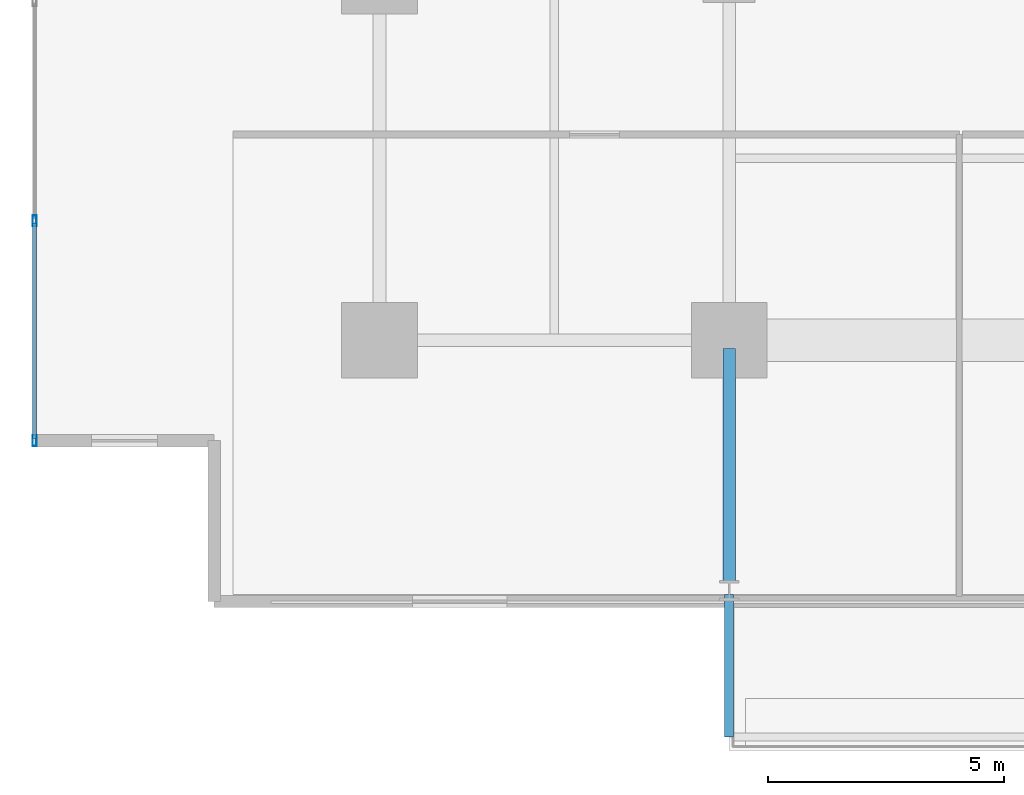
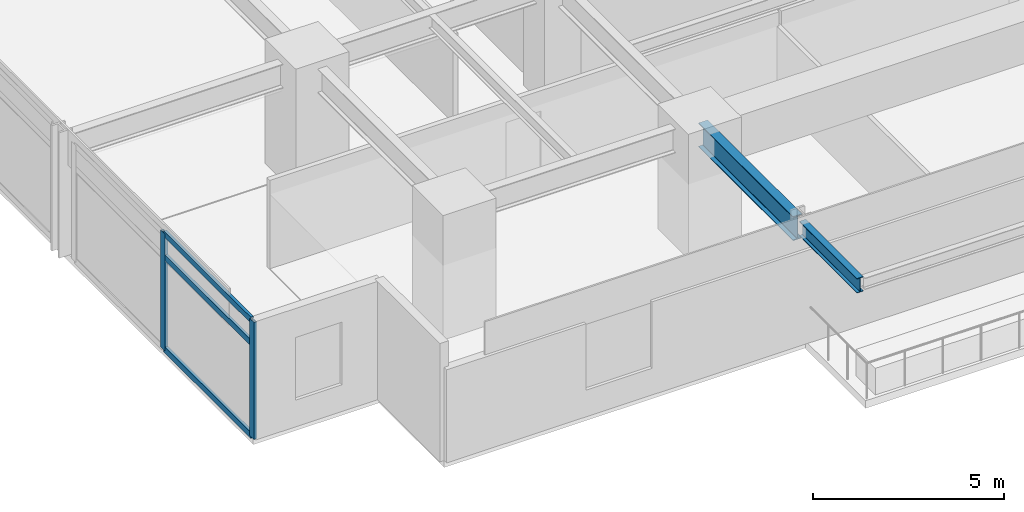
# One storey, part 2 of 21: 5 members, 2 beams, 1 element without a shape of its own.
"""IFC4 building model written with IfcOpenShell, lengths in metres."""

from ifc_helpers import new_model, si_unit, direction, frame, origin, origin_2d, place, context, subcontext, project, spatial, hollow_rectangle, i_section, extrude, material, material_profile, profile_set, type_object, element, aggregate, save


model = new_model("IFC4")

# Units and contexts
model_context = context("Model", 3, precision=1e-05, world=origin(), true_north=direction((0.0, 1.0)))
body_context = subcontext(model_context, "Body", "Model", "MODEL_VIEW")
ifc_project = project(units=[si_unit("LENGTHUNIT", "METRE"), si_unit("AREAUNIT", "SQUARE_METRE"), si_unit("VOLUMEUNIT", "CUBIC_METRE"), si_unit("PLANEANGLEUNIT", "RADIAN"), si_unit("MASSUNIT", "GRAM", prefix="KILO")], contexts=[model_context])

# Site, building, storey
site_placement = place(None, origin())
site = spatial("IfcSite", under=ifc_project, at=site_placement, CompositionType="ELEMENT")
building_placement = place(site_placement, origin())
building = spatial("IfcBuilding", under=site, at=building_placement, Name="Kovane Verandah Tower", CompositionType="ELEMENT")
storey_placement = place(building_placement, frame((0.0, 0.0, 152.39990234375)))
storey = spatial("IfcBuildingStorey", under=building, at=storey_placement, Name="L35", CompositionType="ELEMENT", Elevation=152.39990234375)

# Beam
ifc_material_1 = material(Name="Steel S355", Category="steel")
ifc_material_profile_1 = material_profile(ifc_material_1, i_section(OverallWidth=0.26806640625, OverallDepth=0.769775390625, WebThickness=0.015625, FlangeThickness=0.025390625, FilletRadius=0.0166015625, at=origin_2d()), Name="UB762x267x197")
ifc_profile_set_1 = profile_set([ifc_material_profile_1], Name="Steel S355")
beam_type_1 = type_object("IfcBeamType", Name="BM-UB762x197", PredefinedType="BEAM", material=ifc_profile_set_1)
beam_1_placement = place(storey_placement, frame((29.0, 10.6201171875, 3.375244140625), z_axis=(0.0, -1.0, 0.0), x_axis=(1.0, 0.0, 0.0)))
element("IfcBeam", 1, at=beam_1_placement, inside=storey, type_object=beam_type_1, Name="L35 Primary Tower Girder G-VS1", PredefinedType="BEAM", context=body_context, shape_type="SweptSolid", body=[
    extrude(i_section(OverallWidth=0.26806640625, OverallDepth=0.769775390625, WebThickness=0.015625, FlangeThickness=0.025390625, FilletRadius=0.0166015625, at=origin_2d()), origin(), (0.0, 0.0, 1.0), 4.940185546875),
])

# Curtain wall, members
ifc_material_2 = material(Name="Champagne Anodised Aluminium Frame with Low-E Clear Laminated Glass", Category="aluminium")
curtain_wall_type = type_object("IfcCurtainWallType", Name="CW-SYS-03-MID", PredefinedType="NOTDEFINED", material=ifc_material_2)
curtain_wall_placement = place(storey_placement, origin())
curtain_wall = element("IfcCurtainWall", 2, at=curtain_wall_placement, inside=storey, type_object=curtain_wall_type, Name="L35 W Unitised Curtain Wall-3", PredefinedType="NOTDEFINED")
ifc_material_3 = material(Name="Champagne Anodised Aluminium 6063-T6", Category="aluminium")
ifc_material_profile_2 = material_profile(ifc_material_3, hollow_rectangle(XDim=0.0849609375, YDim=0.22998046875, WallThickness=0.00390625, at=origin_2d()), Name="AL85x230x4")
ifc_profile_set_2 = profile_set([ifc_material_profile_2], Name="Champagne Anodised Aluminium 6063-T6")
member_type_1 = type_object("IfcMemberType", Name="CW-MUL-85x230", PredefinedType="MULLION", material=ifc_profile_set_2)
member_1_placement = place(storey_placement, frame((14.303955078125, 13.326416015625, 0.02001953125), z_axis=(0.0, 0.0, 1.0), x_axis=(-1.0, 0.0, 0.0)))
member_1 = element("IfcMember", 3, at=member_1_placement, type_object=member_type_1, Name="L35 W Unitised Curtain Wall-3 Mullion 2", PredefinedType="MULLION", context=body_context, shape_type="SweptSolid", body=[
    extrude(hollow_rectangle(XDim=0.0849609375, YDim=0.22998046875, WallThickness=0.00390625, at=origin_2d()), origin(), (0.0, 0.0, 1.0), 3.735107421875),
])
member_2_placement = place(storey_placement, frame((14.303955078125, 8.6728515625, 0.02001953125), z_axis=(0.0, 0.0, 1.0), x_axis=(-1.0, 0.0, 0.0)))
member_2 = element("IfcMember", 4, at=member_2_placement, type_object=member_type_1, Name="L35 W Unitised Curtain Wall-3 Mullion 3", PredefinedType="MULLION", context=body_context, shape_type="SweptSolid", body=[
    extrude(hollow_rectangle(XDim=0.0849609375, YDim=0.22998046875, WallThickness=0.00390625, at=origin_2d()), origin(), (0.0, 0.0, 1.0), 3.735107421875),
])
ifc_material_profile_3 = material_profile(ifc_material_3, hollow_rectangle(XDim=0.0849609375, YDim=0.18994140625, WallThickness=0.00390625, at=origin_2d()), Name="AL85x190x4")
ifc_profile_set_3 = profile_set([ifc_material_profile_3], Name="Champagne Anodised Aluminium 6063-T6")
member_type_2 = type_object("IfcMemberType", Name="CW-TRN-85x190", PredefinedType="USERDEFINED", material=ifc_profile_set_3)
member_3_placement = place(storey_placement, frame((14.303955078125, 13.2763671875, 0.050048828125), z_axis=(0.0, -1.0, 0.0), x_axis=(1.0, 0.0, 0.0)))
member_3 = element("IfcMember", 5, at=member_3_placement, type_object=member_type_2, Name="L35 W Unitised Curtain Wall-3 Transom TB Bay 2", ObjectType="TRANSOM", PredefinedType="USERDEFINED", context=body_context, shape_type="SweptSolid", body=[
    extrude(hollow_rectangle(XDim=0.0849609375, YDim=0.18994140625, WallThickness=0.00390625, at=origin_2d()), origin(), (0.0, 0.0, 1.0), 4.553466796875),
])
member_4_placement = place(storey_placement, frame((14.303955078125, 13.2763671875, 2.9951171875), z_axis=(0.0, -1.0, 0.0), x_axis=(1.0, 0.0, 0.0)))
member_4 = element("IfcMember", 6, at=member_4_placement, type_object=member_type_2, Name="L35 W Unitised Curtain Wall-3 Transom TM Bay 2", ObjectType="TRANSOM", PredefinedType="USERDEFINED", context=body_context, shape_type="SweptSolid", body=[
    extrude(hollow_rectangle(XDim=0.0849609375, YDim=0.18994140625, WallThickness=0.00390625, at=origin_2d()), origin(), (0.0, 0.0, 1.0), 4.553466796875),
])
member_5_placement = place(storey_placement, frame((14.303955078125, 13.2763671875, 3.72509765625), z_axis=(0.0, -1.0, 0.0), x_axis=(1.0, 0.0, 0.0)))
member_5 = element("IfcMember", 7, at=member_5_placement, type_object=member_type_2, Name="L35 W Unitised Curtain Wall-3 Transom TT Bay 2", ObjectType="TRANSOM", PredefinedType="USERDEFINED", context=body_context, shape_type="SweptSolid", body=[
    extrude(hollow_rectangle(XDim=0.0849609375, YDim=0.18994140625, WallThickness=0.00390625, at=origin_2d()), origin(), (0.0, 0.0, 1.0), 4.553466796875),
])
aggregate(curtain_wall, [member_1, member_2, member_3, member_4, member_5])

# Beam
ifc_material_profile_4 = material_profile(ifc_material_1, i_section(OverallWidth=0.19287109375, OverallDepth=0.46728515625, WebThickness=0.011474609375, FlangeThickness=0.01953125, FilletRadius=0.01025390625, at=origin_2d()), Name="UB457x191x98")
ifc_profile_set_4 = profile_set([ifc_material_profile_4], Name="Steel S355")
beam_type_2 = type_object("IfcBeamType", Name="JST-UB457x98", PredefinedType="JOIST", material=ifc_profile_set_4)
beam_2_placement = place(storey_placement, frame((29.0, 5.419921875, 3.526611328125), z_axis=(0.0, -1.0, 0.0), x_axis=(1.0, 0.0, 0.0)))
element("IfcBeam", 8, at=beam_2_placement, inside=storey, type_object=beam_type_2, Name="L35 South Planter Girder 1", PredefinedType="JOIST", context=body_context, shape_type="SweptSolid", body=[
    extrude(i_section(OverallWidth=0.19287109375, OverallDepth=0.46728515625, WebThickness=0.011474609375, FlangeThickness=0.01953125, FilletRadius=0.01025390625, at=origin_2d()), origin(), (0.0, 0.0, 1.0), 3.01611328125),
])

save(model, "model.ifc")
